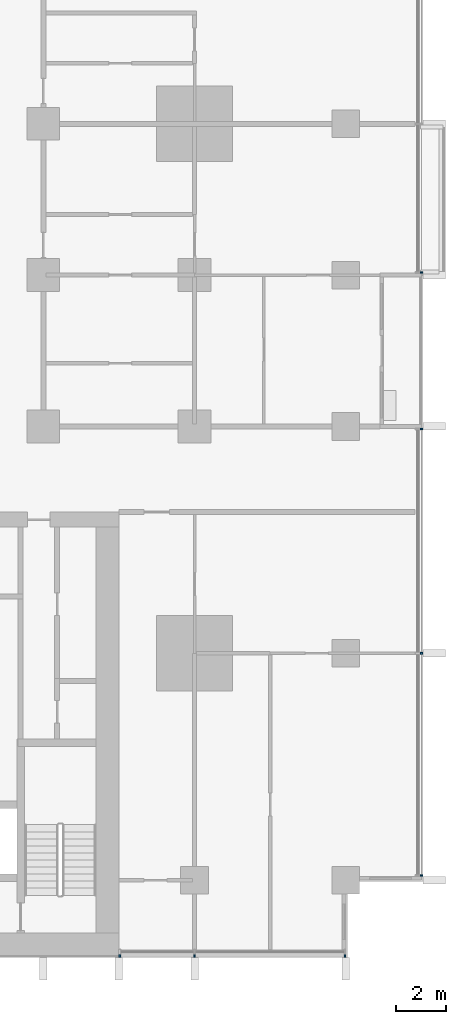
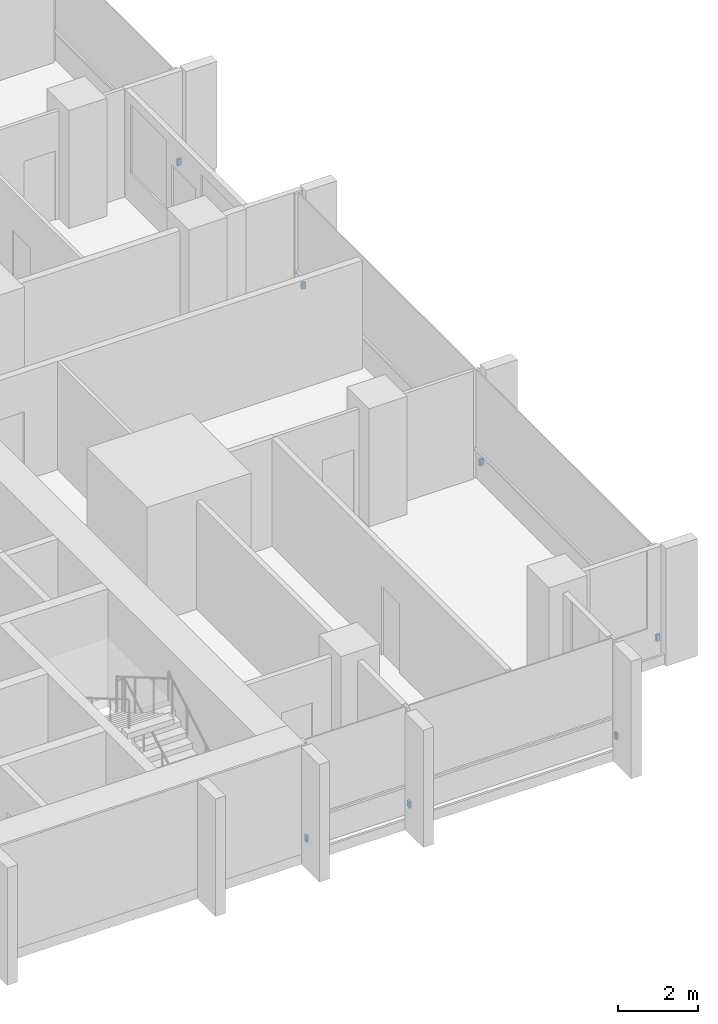
# One storey, part 14 of 17: 7 discrete accessories.
"""IFC4 building model written with IfcOpenShell, lengths in metres."""

from ifc_helpers import new_model, si_unit, direction, frame, origin, origin_2d, place, context, subcontext, project, spatial, rectangle, extrude, material, type_object, element, save


model = new_model("IFC4")

# Units and contexts
model_context = context("Model", 3, precision=1e-05, world=origin(), true_north=direction((0.0, 1.0)))
body_context = subcontext(model_context, "Body", "Model", "MODEL_VIEW")
ifc_project = project(units=[si_unit("LENGTHUNIT", "METRE"), si_unit("AREAUNIT", "SQUARE_METRE"), si_unit("VOLUMEUNIT", "CUBIC_METRE"), si_unit("PLANEANGLEUNIT", "RADIAN"), si_unit("MASSUNIT", "GRAM", prefix="KILO")], contexts=[model_context])

# Site, building, storey
site_placement = place(None, origin())
site = spatial("IfcSite", under=ifc_project, at=site_placement, CompositionType="ELEMENT")
building_placement = place(site_placement, origin())
building = spatial("IfcBuilding", under=site, at=building_placement, Name="Finial Court Residences", CompositionType="ELEMENT")
storey_placement = place(building_placement, frame((0.0, 0.0, 64.89990234375)))
storey = spatial("IfcBuildingStorey", under=building, at=storey_placement, Name="L15", CompositionType="ELEMENT", Elevation=64.89990234375)

# Discrete accessories
ifc_material = material(Name="Stainless steel 316", Category="steel")
discrete_accessory_type = type_object("IfcDiscreteAccessoryType", Name="Fin bracket, stainless steel 65 x 110 x 200", PredefinedType="BRACKET", material=ifc_material)
for number, where, z_axis, x_axis, name in (
    (1, (25.5048828125, -22.3173828125, 0.30029296875), (0.0, 0.0, 1.0), (1.0, 0.0, 0.0), "E-L15-FIN-E9-BRK"),
    (2, (25.5048828125, -13.5, 0.30029296875), (0.0, 0.0, 1.0), (1.0, 0.0, 0.0), "E-L15-FIN-E10-BRK"),
    (3, (25.5048828125, -4.607421875, 0.30029296875), (0.0, 0.0, 1.0), (1.0, 0.0, 0.0), "E-L15-FIN-E11-BRK"),
    (4, (25.5048828125, 1.607421875, 0.30029296875), (0.0, 0.0, 1.0), (1.0, 0.0, 0.0), "E-L15-FIN-E12-BRK"),
):
    element("IfcDiscreteAccessory", number, at=place(storey_placement, frame(where, z_axis=z_axis, x_axis=x_axis)), inside=storey, type_object=discrete_accessory_type, Name=name, PredefinedType="BRACKET", context=body_context, shape_type="SweptSolid", body=[
        extrude(rectangle(XDim=0.110107421875, YDim=0.06494140625, at=origin_2d()), origin(), (0.0, 0.0, 1.0), 0.199951171875),
    ])
for number, where, z_axis, x_axis, name in (
    (5, (13.532470703125, -25.5048828125, 0.30029296875), (0.0, 0.0, 1.0), (1.0, 0.0, 0.0), "E-L15-FIN-S24-BRK"),
    (6, (16.5, -25.5048828125, 0.30029296875), (0.0, 0.0, 1.0), (1.0, 0.0, 0.0), "E-L15-FIN-S25-BRK"),
    (7, (22.467529296875, -25.5048828125, 0.30029296875), (0.0, 0.0, 1.0), (1.0, 0.0, 0.0), "E-L15-FIN-S26-BRK"),
):
    element("IfcDiscreteAccessory", number, at=place(storey_placement, frame(where, z_axis=z_axis, x_axis=x_axis)), inside=storey, type_object=discrete_accessory_type, Name=name, PredefinedType="BRACKET", context=body_context, shape_type="SweptSolid", body=[
        extrude(rectangle(XDim=0.06494140625, YDim=0.110107421875, at=origin_2d()), origin(), (0.0, 0.0, 1.0), 0.199951171875),
    ])

save(model, "model.ifc")
